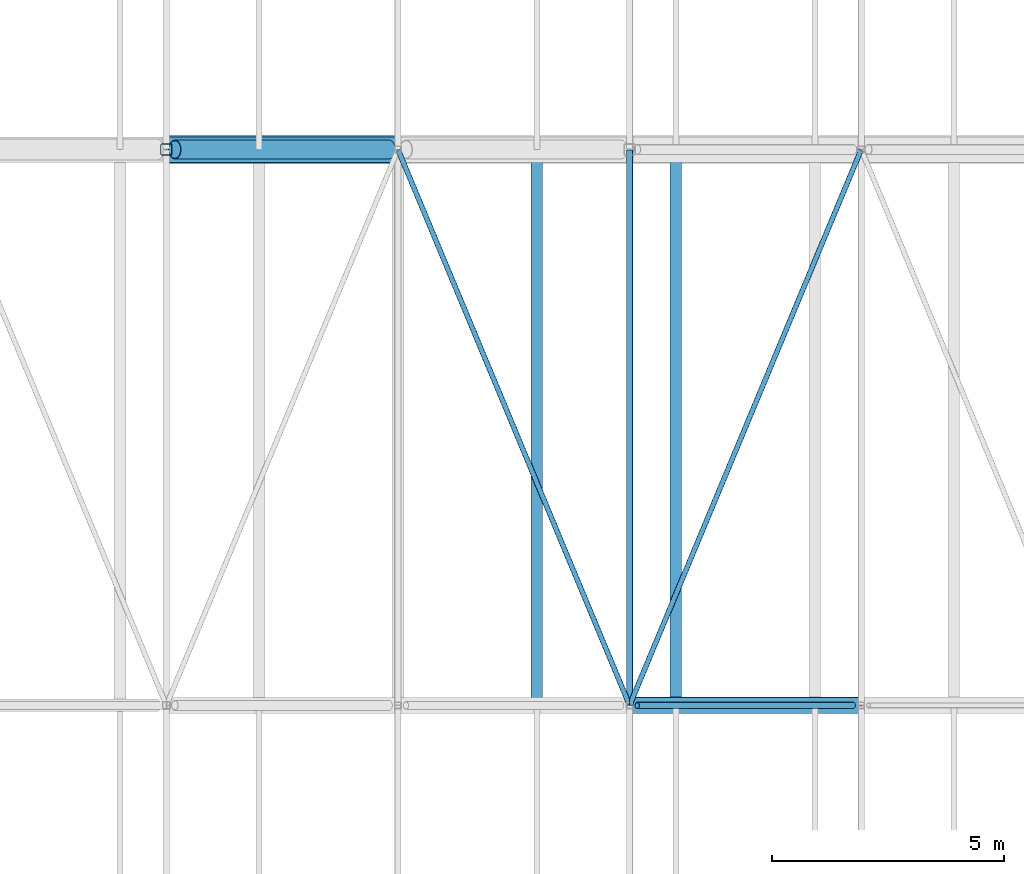
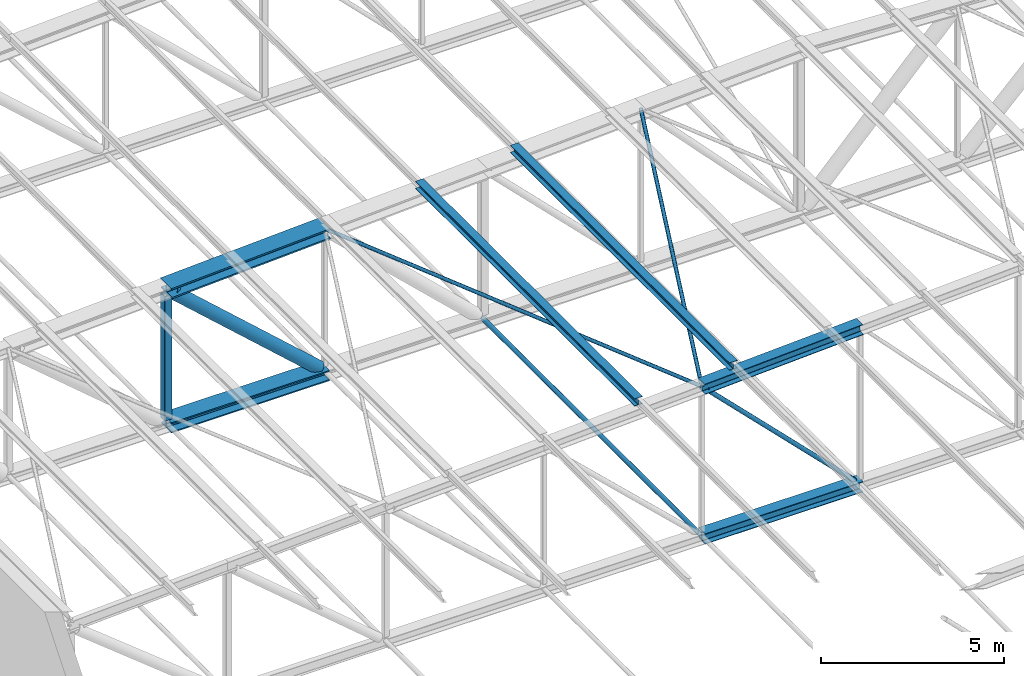
# One storey, part 68 of 156: 12 members.
"""IFC4 building model written with IfcOpenShell, lengths in metres."""

from ifc_helpers import new_model, si_unit, direction, frame, origin, origin_2d, place, context, subcontext, project, spatial, hollow_rectangle, hollow_circle, i_section, extrude, material, material_profile, profile_set, type_object, element, save


model = new_model("IFC4")

# Units and contexts
model_context = context("Model", 3, precision=1e-05, world=origin(), true_north=direction((0.0, 1.0)))
body_context = subcontext(model_context, "Body", "Model", "MODEL_VIEW")
ifc_project = project(units=[si_unit("LENGTHUNIT", "METRE"), si_unit("AREAUNIT", "SQUARE_METRE"), si_unit("VOLUMEUNIT", "CUBIC_METRE"), si_unit("PLANEANGLEUNIT", "RADIAN"), si_unit("MASSUNIT", "GRAM", prefix="KILO")], contexts=[model_context])

# Site, building, storey
site_placement = place(None, origin())
site = spatial("IfcSite", under=ifc_project, at=site_placement, CompositionType="ELEMENT")
building_placement = place(site_placement, origin())
building = spatial("IfcBuilding", under=site, at=building_placement, Name="Lilac Gate Convention Centre", CompositionType="ELEMENT")
storey_placement = place(building_placement, frame((0.0, 0.0, 17.0)))
storey = spatial("IfcBuildingStorey", under=building, at=storey_placement, Name="L03", CompositionType="ELEMENT", Elevation=17.0)

# Members
ifc_material = material(Name="Steel Q355B", Category="steel")
ifc_material_profile_1 = material_profile(ifc_material, hollow_circle(Radius=0.06982421875, WallThickness=0.0048828125, at=origin_2d()), Name="CHS139.7x5")
ifc_profile_set_1 = profile_set([ifc_material_profile_1], Name="Steel Q355B")
member_type_1 = type_object("IfcMemberType", Name="Bottom chord tie CHS139.7x5", PredefinedType="STRUT", material=ifc_profile_set_1)
member_1_placement = place(storey_placement, frame((50.0, 126.006103515625, 0.0), z_axis=(0.0, 1.0, 0.0), x_axis=(-1.0, 0.0, 0.0)))
element("IfcMember", 1, at=member_1_placement, inside=storey, type_object=member_type_1, Name="ST1 tie bay 9 node 5", PredefinedType="STRUT", context=body_context, shape_type="SweptSolid", body=[
    extrude(hollow_circle(Radius=0.06982421875, WallThickness=0.0048828125, at=origin_2d()), origin(), (0.0, 0.0, 1.0), 11.98388671875),
])
ifc_material_profile_2 = material_profile(ifc_material, hollow_circle(Radius=0.05712890625, WallThickness=0.0048828125, at=origin_2d()), Name="CHS114.3x5")
ifc_profile_set_2 = profile_set([ifc_material_profile_2], Name="Steel Q355B")
member_type_2 = type_object("IfcMemberType", Name="Roof plane bracing CHS114.3x5", PredefinedType="BRACE", material=ifc_profile_set_2)
for number, where, z_axis, x_axis, name in (
    (2, (45.005126953125, 137.987548828125, 4.750244140625), (0.38455228383, -0.922902902528, 0.019229495747), (0.923073582385, 0.384623402177, 0.0), "BR1 plan bracing bay 9 panel 4"),
    (3, (50.005126953125, 126.012451171875, 5.000244140625), (0.38455228383, 0.922902902528, 0.019229495747), (-0.923073582385, 0.384623402177, 0.0), "BR1 plan bracing bay 9 panel 5"),
):
    element("IfcMember", number, at=place(storey_placement, frame(where, z_axis=z_axis, x_axis=x_axis)), inside=storey, type_object=member_type_2, Name=name, PredefinedType="BRACE", context=body_context, shape_type="SweptSolid", body=[
        extrude(hollow_circle(Radius=0.05712890625, WallThickness=0.0048828125, at=origin_2d()), origin(), (0.0, 0.0, 1.0), 12.9755859375),
    ])
ifc_material_profile_3 = material_profile(ifc_material, i_section(OverallWidth=0.25, OverallDepth=0.25, WebThickness=0.009033203125, FlangeThickness=0.013916015625, FilletRadius=0.012939453125, at=origin_2d()), Name="HW250x250x9x14")
ifc_profile_set_3 = profile_set([ifc_material_profile_3], Name="Steel Q355B")
member_type_3 = type_object("IfcMemberType", Name="Roof purlin HW250x250x9x14", PredefinedType="PURLIN", material=ifc_profile_set_3)
for number, where, z_axis, x_axis, name in (
    (4, (48.0, 126.0, 5.2001953125), (0.0, 1.0, 0.0), (-1.0, 0.0, 0.0), "PU1 purlin bay 9 line 7"),
    (5, (51.0, 126.0, 5.35009765625), (0.0, 1.0, 0.0), (-1.0, 0.0, 0.0), "PU1 purlin bay 9 line 8"),
):
    element("IfcMember", number, at=place(storey_placement, frame(where, z_axis=z_axis, x_axis=x_axis)), inside=storey, type_object=member_type_3, Name=name, PredefinedType="PURLIN", context=body_context, shape_type="SweptSolid", body=[
        extrude(i_section(OverallWidth=0.25, OverallDepth=0.25, WebThickness=0.009033203125, FlangeThickness=0.013916015625, FilletRadius=0.012939453125, at=origin_2d()), origin(), (0.0, 0.0, 1.0), 12.0),
    ])
ifc_material_profile_4 = material_profile(ifc_material, i_section(OverallWidth=0.35693359375, OverallDepth=0.35009765625, WebThickness=0.01904296875, FlangeThickness=0.01904296875, FilletRadius=0.012939453125, at=origin_2d()), Name="HW350x357x19x19")
ifc_profile_set_4 = profile_set([ifc_material_profile_4], Name="Steel Q355B")
member_type_4 = type_object("IfcMemberType", Name="Truss bottom chord HW350x357x19x19", PredefinedType="CHORD", material=ifc_profile_set_4)
member_2_placement = place(storey_placement, frame((50.0, 126.0, 0.0), z_axis=(1.0, 0.0, 0.0), x_axis=(0.0, 1.0, 0.0)))
element("IfcMember", 6, at=member_2_placement, inside=storey, type_object=member_type_4, Name="TB3 truss 9 bottom chord 5", PredefinedType="CHORD", context=body_context, shape_type="SweptSolid", body=[
    extrude(i_section(OverallWidth=0.35693359375, OverallDepth=0.35009765625, WebThickness=0.01904296875, FlangeThickness=0.01904296875, FilletRadius=0.012939453125, at=origin_2d()), origin(), (0.0, 0.0, 1.0), 5.0),
])
ifc_material_profile_5 = material_profile(ifc_material, i_section(OverallWidth=0.550048828125, OverallDepth=0.35009765625, WebThickness=0.02001953125, FlangeThickness=0.0400390625, FilletRadius=0.008056640625, at=origin_2d()), Name="WH350x550x20x40")
ifc_profile_set_5 = profile_set([ifc_material_profile_5], Name="Steel Q355B")
member_type_5 = type_object("IfcMemberType", Name="Truss bottom chord WH350x550x20x40", PredefinedType="CHORD", material=ifc_profile_set_5)
member_3_placement = place(storey_placement, frame((40.0, 138.0, 0.0), z_axis=(1.0, 0.0, 0.0), x_axis=(0.0, 1.0, 0.0)))
element("IfcMember", 7, at=member_3_placement, inside=storey, type_object=member_type_5, Name="TB5 truss 10 bottom chord 3", PredefinedType="CHORD", context=body_context, shape_type="SweptSolid", body=[
    extrude(i_section(OverallWidth=0.550048828125, OverallDepth=0.35009765625, WebThickness=0.02001953125, FlangeThickness=0.0400390625, FilletRadius=0.008056640625, at=origin_2d()), origin(), (0.0, 0.0, 1.0), 5.0),
])
ifc_material_profile_6 = material_profile(ifc_material, hollow_circle(Radius=0.06982421875, WallThickness=0.006103515625, at=origin_2d()), Name="CHS139.7x6")
ifc_profile_set_6 = profile_set([ifc_material_profile_6], Name="Steel Q355B")
member_type_6 = type_object("IfcMemberType", Name="Truss diagonal CHS139.7x6", PredefinedType="BRACE", material=ifc_profile_set_6)
member_4_placement = place(storey_placement, frame((50.164306640625, 126.0, 4.835693359375), z_axis=(0.707106781187, 0.0, -0.707106781187), x_axis=(0.0, 1.0, 0.0)))
element("IfcMember", 8, at=member_4_placement, inside=storey, type_object=member_type_6, Name="TW5 truss 9 diagonal 5", PredefinedType="BRACE", context=body_context, shape_type="SweptSolid", body=[
    extrude(hollow_circle(Radius=0.06982421875, WallThickness=0.006103515625, at=origin_2d()), origin(), (0.0, 0.0, 1.0), 6.591064453125),
])
ifc_material_profile_7 = material_profile(ifc_material, hollow_circle(Radius=0.203125, WallThickness=0.01611328125, at=origin_2d()), Name="CHS406.4x16")
ifc_profile_set_7 = profile_set([ifc_material_profile_7], Name="Steel Q355B")
member_type_7 = type_object("IfcMemberType", Name="Truss diagonal CHS406.4x16", PredefinedType="BRACE", material=ifc_profile_set_7)
member_5_placement = place(storey_placement, frame((40.1826171875, 138.0, 4.335693359375), z_axis=(0.743301953498, 0.0, -0.668956056797), x_axis=(0.0, 1.0, 0.0)))
element("IfcMember", 9, at=member_5_placement, inside=storey, type_object=member_type_7, Name="TW9 truss 10 diagonal 3", PredefinedType="BRACE", context=body_context, shape_type="SweptSolid", body=[
    extrude(hollow_circle(Radius=0.203125, WallThickness=0.01611328125, at=origin_2d()), origin(), (0.0, 0.0, 1.0), 6.2197265625),
])
ifc_material_profile_8 = material_profile(ifc_material, i_section(OverallWidth=0.35009765625, OverallDepth=0.35009765625, WebThickness=0.011962890625, FlangeThickness=0.01904296875, FilletRadius=0.012939453125, at=origin_2d()), Name="HW350x350x12x19")
ifc_profile_set_8 = profile_set([ifc_material_profile_8], Name="Steel Q355B")
member_type_8 = type_object("IfcMemberType", Name="Truss top chord HW350x350x12x19", PredefinedType="CHORD", material=ifc_profile_set_8)
member_6_placement = place(storey_placement, frame((50.0, 126.0, 5.0), z_axis=(0.998752338878, 0.0, 0.049937616944), x_axis=(0.0, 1.0, 0.0)))
element("IfcMember", 10, at=member_6_placement, inside=storey, type_object=member_type_8, Name="TT2 truss 9 top chord 5", PredefinedType="CHORD", context=body_context, shape_type="SweptSolid", body=[
    extrude(i_section(OverallWidth=0.35009765625, OverallDepth=0.35009765625, WebThickness=0.011962890625, FlangeThickness=0.01904296875, FilletRadius=0.012939453125, at=origin_2d()), origin(), (0.0, 0.0, 1.0), 5.00634765625),
])
ifc_material_profile_9 = material_profile(ifc_material, i_section(OverallWidth=0.60009765625, OverallDepth=0.35009765625, WebThickness=0.02490234375, FlangeThickness=0.050048828125, FilletRadius=0.008056640625, at=origin_2d()), Name="WH350x600x25x50")
ifc_profile_set_9 = profile_set([ifc_material_profile_9], Name="Steel Q355B")
member_type_9 = type_object("IfcMemberType", Name="Truss top chord WH350x600x25x50", PredefinedType="CHORD", material=ifc_profile_set_9)
member_7_placement = place(storey_placement, frame((40.0, 138.0, 4.5), z_axis=(0.998752338878, 0.0, 0.049937616944), x_axis=(0.0, 1.0, 0.0)))
element("IfcMember", 11, at=member_7_placement, inside=storey, type_object=member_type_9, Name="TT5 truss 10 top chord 3", PredefinedType="CHORD", context=body_context, shape_type="SweptSolid", body=[
    extrude(i_section(OverallWidth=0.60009765625, OverallDepth=0.35009765625, WebThickness=0.02490234375, FlangeThickness=0.050048828125, FilletRadius=0.008056640625, at=origin_2d()), origin(), (0.0, 0.0, 1.0), 5.00634765625),
])
ifc_material_profile_10 = material_profile(ifc_material, hollow_rectangle(XDim=0.25, YDim=0.25, WallThickness=0.011962890625, InnerFilletRadius=0.01806640625, OuterFilletRadius=0.030029296875, at=origin_2d()), Name="SHS250x250x12")
ifc_profile_set_10 = profile_set([ifc_material_profile_10], Name="Steel Q355B")
member_type_10 = type_object("IfcMemberType", Name="Truss vertical SHS250x250x12", PredefinedType="STRUT", material=ifc_profile_set_10)
member_8_placement = place(storey_placement, frame((40.0, 138.0, 0.175048828125), z_axis=(0.0, 0.0, 1.0), x_axis=(1.0, 0.0, 0.0)))
element("IfcMember", 12, at=member_8_placement, inside=storey, type_object=member_type_10, Name="TV5 truss 10 vertical 3", PredefinedType="STRUT", context=body_context, shape_type="SweptSolid", body=[
    extrude(hollow_rectangle(XDim=0.25, YDim=0.25, WallThickness=0.011962890625, InnerFilletRadius=0.01806640625, OuterFilletRadius=0.030029296875, at=origin_2d()), origin(), (0.0, 0.0, 1.0), 4.149658203125),
])

save(model, "model.ifc")
